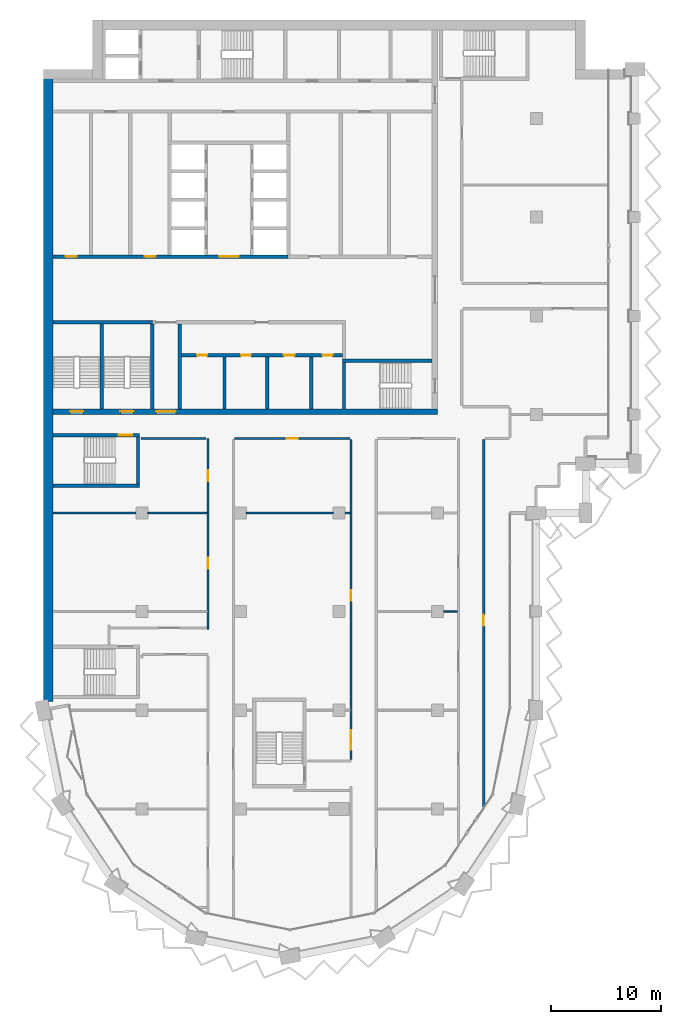
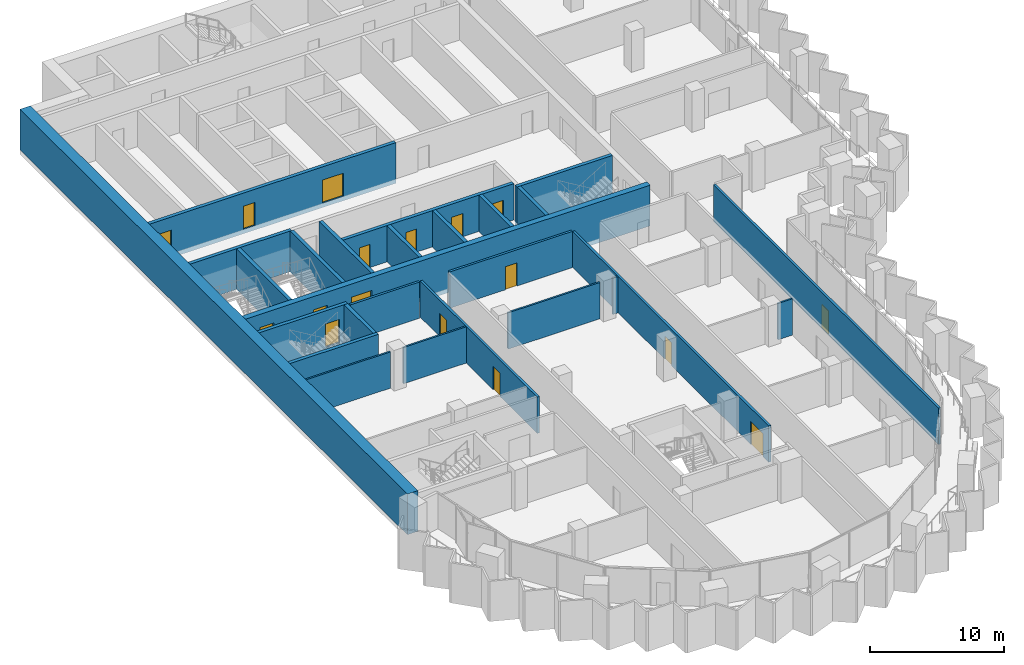
# One storey, part 10 of 19: 26 walls, 17 doors, 17 openings.
"""IFC4 building model written with IfcOpenShell, lengths in metres."""

from ifc_helpers import new_model, si_unit, direction, frame, frame_2d, origin, place, context, subcontext, project, spatial, rectangle, extrude, material, layer, layer_set, type_object, element, fill, save


model = new_model("IFC4")

# Units and contexts
model_context = context("Model", 3, precision=1e-05, world=origin(), true_north=direction((0.0, 1.0)))
body_context = subcontext(model_context, "Body", "Model", "MODEL_VIEW")
ifc_project = project(units=[si_unit("LENGTHUNIT", "METRE"), si_unit("AREAUNIT", "SQUARE_METRE"), si_unit("VOLUMEUNIT", "CUBIC_METRE"), si_unit("PLANEANGLEUNIT", "RADIAN"), si_unit("MASSUNIT", "GRAM", prefix="KILO")], contexts=[model_context])

# Site, building, storey
site_placement = place(None, origin())
site = spatial("IfcSite", under=ifc_project, at=site_placement, CompositionType="ELEMENT")
building_placement = place(site_placement, origin())
building = spatial("IfcBuilding", under=site, at=building_placement, Name="Hunhe Ridgeline Campus", CompositionType="ELEMENT")
storey_placement = place(building_placement, frame((0.0, 0.0, 216.10009765625)))
storey = spatial("IfcBuildingStorey", under=building, at=storey_placement, Name="L55", CompositionType="ELEMENT", Elevation=216.10009765625)

# Wall, openings, doors
ifc_material_1 = material(Name="Masonry concrete blockwork", Category="masonry")
ifc_layer_1 = layer(ifc_material_1, 0.300048828125)
ifc_layer_set_1 = layer_set([ifc_layer_1], Name="Core room partition 300 concrete block")
wall_type_1 = type_object("IfcWallType", Name="Core room partition 300 concrete block", PredefinedType="PARTITIONING", material=ifc_layer_set_1)
wall_1_placement = place(storey_placement, frame((12.60009765625, 68.39990234375, 0.0), z_axis=(0.0, 0.0, 1.0), x_axis=(1.0, 0.0, 0.0)))
wall_1 = element("IfcWall", 1, at=wall_1_placement, inside=storey, type_object=wall_type_1, Name="L55 core partition 9", PredefinedType="PARTITIONING", context=body_context, shape_type="SweptSolid", body=[
    extrude(rectangle(XDim=14.699951171875, YDim=0.300048828125, at=frame_2d((7.35009765625, 0.0))), origin(), (0.0, 0.0, 1.0), 3.2998046875),
])
opening_1_placement = place(wall_1_placement, frame((1.449951171875, 0.0, 0.0)))
opening_1 = element("IfcOpeningElement", 2, at=opening_1_placement, cuts=wall_1, Name="Opening CD8", PredefinedType="OPENING", context=body_context, shape_type="SweptSolid", body=[
    extrude(rectangle(XDim=0.89990234375, YDim=2.10009765625, at=frame_2d((0.449951171875, 1.050048828125))), frame((0.0, 0.14990234375, 0.0), z_axis=(0.0, -1.0, 0.0), x_axis=(1.0, 0.0, 0.0)), (0.0, 0.0, 1.0), 0.300048828125),
])
opening_2_placement = place(wall_1_placement, frame((5.449951171875, 0.0, 0.0)))
opening_2 = element("IfcOpeningElement", 3, at=opening_2_placement, cuts=wall_1, Name="Opening CD9", PredefinedType="OPENING", context=body_context, shape_type="SweptSolid", body=[
    extrude(rectangle(XDim=0.89990234375, YDim=2.10009765625, at=frame_2d((0.449951171875, 1.050048828125))), frame((0.0, 0.14990234375, 0.0), z_axis=(0.0, -1.0, 0.0), x_axis=(1.0, 0.0, 0.0)), (0.0, 0.0, 1.0), 0.300048828125),
])
opening_3_placement = place(wall_1_placement, frame((9.35009765625, 0.0, 0.0)))
opening_3 = element("IfcOpeningElement", 4, at=opening_3_placement, cuts=wall_1, Name="Opening CD10", PredefinedType="OPENING", context=body_context, shape_type="SweptSolid", body=[
    extrude(rectangle(XDim=1.0, YDim=2.10009765625, at=frame_2d((0.5, 1.050048828125))), frame((0.0, 0.14990234375, 0.0), z_axis=(0.0, -1.0, 0.0), x_axis=(1.0, 0.0, 0.0)), (0.0, 0.0, 1.0), 0.300048828125),
])
opening_4_placement = place(wall_1_placement, frame((12.89990234375, 0.0, 0.0)))
opening_4 = element("IfcOpeningElement", 5, at=opening_4_placement, cuts=wall_1, Name="Opening CD11", PredefinedType="OPENING", context=body_context, shape_type="SweptSolid", body=[
    extrude(rectangle(XDim=0.89990234375, YDim=2.10009765625, at=frame_2d((0.449951171875, 1.050048828125))), frame((0.0, 0.14990234375, 0.0), z_axis=(0.0, -1.0, 0.0), x_axis=(1.0, 0.0, 0.0)), (0.0, 0.0, 1.0), 0.300048828125),
])
ifc_material_2 = material(Name="Solid core timber door leaf", Category="wood")
door_type_1 = type_object("IfcDoorType", Name="Timber door 1000x2100", OperationType="SINGLE_SWING_LEFT", PredefinedType="DOOR", material=ifc_material_2)
door_1_placement = place(opening_3_placement, frame((1.0, 0.0, 0.0), z_axis=(0.0, 0.0, 1.0), x_axis=(-1.0, 0.0, 0.0)))
door_1 = element("IfcDoor", 6, at=door_1_placement, inside=storey, type_object=door_type_1, Name="L55 door WC3", OperationType="SINGLE_SWING_LEFT", OverallHeight=2.10009765625, OverallWidth=1.0, PredefinedType="DOOR", context=body_context, shape_type="SweptSolid", body=[
    extrude(rectangle(XDim=1.0, YDim=2.10009765625, at=frame_2d((0.5, 1.050048828125))), frame((0.0, 0.02490234375, 0.0), z_axis=(0.0, -1.0, 0.0), x_axis=(1.0, 0.0, 0.0)), (0.0, 0.0, 1.0), 0.050048828125),
])
fill(opening_3, door_1)
door_type_2 = type_object("IfcDoorType", Name="Timber door 900x2100", OperationType="SINGLE_SWING_LEFT", PredefinedType="DOOR", material=ifc_material_2)
door_2_placement = place(opening_1_placement, frame((0.89990234375, 0.0, 0.0), z_axis=(0.0, 0.0, 1.0), x_axis=(-1.0, 0.0, 0.0)))
door_2 = element("IfcDoor", 7, at=door_2_placement, inside=storey, type_object=door_type_2, Name="L55 door WC1", OperationType="SINGLE_SWING_LEFT", OverallHeight=2.10009765625, OverallWidth=0.89990234375, PredefinedType="DOOR", context=body_context, shape_type="SweptSolid", body=[
    extrude(rectangle(XDim=0.89990234375, YDim=2.10009765625, at=frame_2d((0.449951171875, 1.050048828125))), frame((0.0, 0.02490234375, 0.0), z_axis=(0.0, -1.0, 0.0), x_axis=(1.0, 0.0, 0.0)), (0.0, 0.0, 1.0), 0.050048828125),
])
fill(opening_1, door_2)
door_3_placement = place(opening_2_placement, frame((0.89990234375, 0.0, 0.0), z_axis=(0.0, 0.0, 1.0), x_axis=(-1.0, 0.0, 0.0)))
door_3 = element("IfcDoor", 8, at=door_3_placement, inside=storey, type_object=door_type_2, Name="L55 door WC2", OperationType="SINGLE_SWING_RIGHT", OverallHeight=2.10009765625, OverallWidth=0.89990234375, PredefinedType="DOOR", context=body_context, shape_type="SweptSolid", body=[
    extrude(rectangle(XDim=0.89990234375, YDim=2.10009765625, at=frame_2d((0.449951171875, 1.050048828125))), frame((0.0, 0.02490234375, 0.0), z_axis=(0.0, -1.0, 0.0), x_axis=(1.0, 0.0, 0.0)), (0.0, 0.0, 1.0), 0.050048828125),
])
fill(opening_2, door_3)
door_4_placement = place(opening_4_placement, frame((0.89990234375, 0.0, 0.0), z_axis=(0.0, 0.0, 1.0), x_axis=(-1.0, 0.0, 0.0)))
door_4 = element("IfcDoor", 9, at=door_4_placement, inside=storey, type_object=door_type_2, Name="L55 door WC4", OperationType="SINGLE_SWING_RIGHT", OverallHeight=2.10009765625, OverallWidth=0.89990234375, PredefinedType="DOOR", context=body_context, shape_type="SweptSolid", body=[
    extrude(rectangle(XDim=0.89990234375, YDim=2.10009765625, at=frame_2d((0.449951171875, 1.050048828125))), frame((0.0, 0.02490234375, 0.0), z_axis=(0.0, -1.0, 0.0), x_axis=(1.0, 0.0, 0.0)), (0.0, 0.0, 1.0), 0.050048828125),
])
fill(opening_4, door_4)

# Walls
wall_2_placement = place(storey_placement, frame((12.449951171875, 63.5, 0.0), z_axis=(0.0, 0.0, 1.0), x_axis=(0.0, 1.0, 0.0)))
element("IfcWall", 10, at=wall_2_placement, inside=storey, type_object=wall_type_1, Name="L55 core partition 35", PredefinedType="PARTITIONING", context=body_context, shape_type="SweptSolid", body=[
    extrude(rectangle(XDim=7.75, YDim=0.300048828125, at=frame_2d((3.875, 0.0))), origin(), (0.0, 0.0, 1.0), 3.2998046875),
])
for number, where, z_axis, x_axis, name in (
    (11, (16.550048828125, 63.5, 0.0), (0.0, 0.0, 1.0), (0.0, 1.0, 0.0), "L55 core partition 38"),
    (12, (20.449951171875, 63.5, 0.0), (0.0, 0.0, 1.0), (0.0, 1.0, 0.0), "L55 core partition 41"),
    (13, (24.449951171875, 63.5, 0.0), (0.0, 0.0, 1.0), (0.0, 1.0, 0.0), "L55 core partition 46"),
):
    element("IfcWall", number, at=place(storey_placement, frame(where, z_axis=z_axis, x_axis=x_axis)), inside=storey, type_object=wall_type_1, Name=name, PredefinedType="PARTITIONING", context=body_context, shape_type="SweptSolid", body=[
        extrude(rectangle(XDim=4.75, YDim=0.300048828125, at=frame_2d((2.375, 0.0))), origin(), (0.0, 0.0, 1.0), 3.2998046875),
    ])

# Wall, openings, doors
ifc_material_3 = material(Name="Concrete C60", Category="concrete")
ifc_layer_2 = layer(ifc_material_3, 0.5)
ifc_layer_set_2 = layer_set([ifc_layer_2], Name="Core wall 500 reinforced concrete C60")
wall_type_2 = type_object("IfcWallType", Name="Core wall 500 reinforced concrete C60", PredefinedType="SOLIDWALL", material=ifc_layer_set_2)
wall_3_placement = place(storey_placement, frame((0.89990234375, 63.25, -0.400146484375), z_axis=(0.0, 0.0, 1.0), x_axis=(1.0, 0.0, 0.0)))
wall_3 = element("IfcWall", 14, at=wall_3_placement, inside=storey, type_object=wall_type_2, Name="L55 core wall 7", PredefinedType="SOLIDWALL", context=body_context, shape_type="SweptSolid", body=[
    extrude(rectangle(XDim=35.10009765625, YDim=0.5, at=frame_2d((17.550048828125, 0.0))), origin(), (0.0, 0.0, 1.0), 3.699951171875),
])
opening_5_placement = place(wall_3_placement, frame((9.39990234375, 0.0, 0.39990234375)))
opening_5 = element("IfcOpeningElement", 15, at=opening_5_placement, cuts=wall_3, Name="Opening CD6", PredefinedType="OPENING", context=body_context, shape_type="SweptSolid", body=[
    extrude(rectangle(XDim=1.800048828125, YDim=2.10009765625, at=frame_2d((0.89990234375, 1.050048828125))), frame((0.0, 0.25, 0.0), z_axis=(0.0, -1.0, 0.0), x_axis=(1.0, 0.0, 0.0)), (0.0, 0.0, 1.0), 0.5),
])
opening_6_placement = place(wall_3_placement, frame((1.550048828125, 0.0, 0.39990234375)))
opening_6 = element("IfcOpeningElement", 16, at=opening_6_placement, cuts=wall_3, Name="Opening CD13", PredefinedType="OPENING", context=body_context, shape_type="SweptSolid", body=[
    extrude(rectangle(XDim=1.199951171875, YDim=2.10009765625, at=frame_2d((0.60009765625, 1.050048828125))), frame((0.0, 0.25, 0.0), z_axis=(0.0, -1.0, 0.0), x_axis=(1.0, 0.0, 0.0)), (0.0, 0.0, 1.0), 0.5),
])
opening_7_placement = place(wall_3_placement, frame((6.14990234375, 0.0, 0.39990234375)))
opening_7 = element("IfcOpeningElement", 17, at=opening_7_placement, cuts=wall_3, Name="Opening CD14", PredefinedType="OPENING", context=body_context, shape_type="SweptSolid", body=[
    extrude(rectangle(XDim=1.199951171875, YDim=2.10009765625, at=frame_2d((0.60009765625, 1.050048828125))), frame((0.0, 0.25, 0.0), z_axis=(0.0, -1.0, 0.0), x_axis=(1.0, 0.0, 0.0)), (0.0, 0.0, 1.0), 0.5),
])
ifc_material_4 = material(Name="Anodised aluminium and glass", Category="aluminium")
door_type_3 = type_object("IfcDoorType", Name="Glazed double door 1800x2100", OperationType="DOUBLE_DOOR_SINGLE_SWING", PredefinedType="DOOR", material=ifc_material_4)
door_5_placement = place(opening_5_placement, frame((1.800048828125, 0.0, 0.0), z_axis=(0.0, 0.0, 1.0), x_axis=(-1.0, 0.0, 0.0)))
door_5 = element("IfcDoor", 18, at=door_5_placement, inside=storey, type_object=door_type_3, Name="L55 door VEST-FLOOR", OperationType="DOUBLE_DOOR_SINGLE_SWING", OverallHeight=2.10009765625, OverallWidth=1.800048828125, PredefinedType="DOOR", context=body_context, shape_type="SweptSolid", body=[
    extrude(rectangle(XDim=1.800048828125, YDim=2.10009765625, at=frame_2d((0.89990234375, 1.050048828125))), frame((0.0, 0.02490234375, 0.0), z_axis=(0.0, -1.0, 0.0), x_axis=(1.0, 0.0, 0.0)), (0.0, 0.0, 1.0), 0.050048828125),
])
fill(opening_5, door_5)
ifc_material_5 = material(Name="Hollow metal fire door leaf")
door_type_4 = type_object("IfcDoorType", Name="Stair door 1200x2100 FD60", OperationType="SINGLE_SWING_LEFT", PredefinedType="DOOR", material=ifc_material_5)
door_6_placement = place(opening_6_placement, frame((1.199951171875, 0.0, 0.0), z_axis=(0.0, 0.0, 1.0), x_axis=(-1.0, 0.0, 0.0)))
door_6 = element("IfcDoor", 19, at=door_6_placement, inside=storey, type_object=door_type_4, Name="L55 door S3", OperationType="SINGLE_SWING_LEFT", OverallHeight=2.10009765625, OverallWidth=1.199951171875, PredefinedType="DOOR", context=body_context, shape_type="SweptSolid", body=[
    extrude(rectangle(XDim=1.199951171875, YDim=2.10009765625, at=frame_2d((0.60009765625, 1.050048828125))), frame((0.0, 0.02490234375, 0.0), z_axis=(0.0, -1.0, 0.0), x_axis=(1.0, 0.0, 0.0)), (0.0, 0.0, 1.0), 0.050048828125),
])
fill(opening_6, door_6)
door_7_placement = place(opening_7_placement, frame((1.199951171875, 0.0, 0.0), z_axis=(0.0, 0.0, 1.0), x_axis=(-1.0, 0.0, 0.0)))
door_7 = element("IfcDoor", 20, at=door_7_placement, inside=storey, type_object=door_type_4, Name="L55 door S4", OperationType="SINGLE_SWING_RIGHT", OverallHeight=2.10009765625, OverallWidth=1.199951171875, PredefinedType="DOOR", context=body_context, shape_type="SweptSolid", body=[
    extrude(rectangle(XDim=1.199951171875, YDim=2.10009765625, at=frame_2d((0.60009765625, 1.050048828125))), frame((0.0, 0.02490234375, 0.0), z_axis=(0.0, -1.0, 0.0), x_axis=(1.0, 0.0, 0.0)), (0.0, 0.0, 1.0), 0.050048828125),
])
fill(opening_7, door_7)

# Wall
ifc_material_6 = material(Name="Gypsum board partition")
ifc_layer_3 = layer(ifc_material_6, 0.199951171875)
ifc_layer_set_3 = layer_set([ifc_layer_3], Name="Corridor partition 200 gypsum board on steel studs")
wall_type_3 = type_object("IfcWallType", Name="Corridor partition 200 gypsum board on steel studs", PredefinedType="PARTITIONING", material=ifc_layer_set_3)
wall_4_placement = place(storey_placement, frame((14.850341796875, 60.800048828125, 0.0), z_axis=(0.0, 0.0, 1.0), x_axis=(-1.0, 0.0, 0.0)))
element("IfcWall", 21, at=wall_4_placement, inside=storey, type_object=wall_type_3, Name="F-L55-wall-028", PredefinedType="PARTITIONING", context=body_context, shape_type="SweptSolid", body=[
    extrude(rectangle(XDim=5.9462890625, YDim=0.199951171875, at=frame_2d((2.97314453125, 0.0))), origin(), (0.0, 0.0, 1.0), 3.2998046875),
])

# Wall, opening, door
wall_5_placement = place(storey_placement, frame((28.0, 60.800048828125, 0.0), z_axis=(0.0, 0.0, 1.0), x_axis=(-1.0, 0.0, 0.0)))
wall_5 = element("IfcWall", 22, at=wall_5_placement, inside=storey, type_object=wall_type_3, Name="F-L55-wall-029", PredefinedType="PARTITIONING", context=body_context, shape_type="SweptSolid", body=[
    extrude(rectangle(XDim=10.550048828125, YDim=0.199951171875, at=frame_2d((5.27490234375, 0.0))), origin(), (0.0, 0.0, 1.0), 3.2998046875),
])
opening_8_placement = place(wall_5_placement, frame((4.77490234375, 0.0, 0.0)))
opening_8 = element("IfcOpeningElement", 23, at=opening_8_placement, cuts=wall_5, Name="Opening RD1-016", PredefinedType="OPENING", context=body_context, shape_type="SweptSolid", body=[
    extrude(rectangle(XDim=1.0, YDim=2.10009765625, at=frame_2d((0.5, 1.050048828125))), frame((0.0, 0.10009765625, 0.0), z_axis=(0.0, -1.0, 0.0), x_axis=(1.0, 0.0, 0.0)), (0.0, 0.0, 1.0), 0.199951171875),
])
ifc_material_7 = material(Name="Timber door leaf", Category="wood")
door_type_5 = type_object("IfcDoorType", Name="Single fire door 1000x2100 timber FD60", OperationType="NOTDEFINED", PredefinedType="DOOR", material=ifc_material_7)
door_8_placement = place(opening_8_placement, origin())
door_8 = element("IfcDoor", 24, at=door_8_placement, inside=storey, type_object=door_type_5, Name="F-L55-door-016", OperationType="SINGLE_SWING_LEFT", OverallHeight=2.10009765625, OverallWidth=1.0, PredefinedType="DOOR", context=body_context, shape_type="SweptSolid", body=[
    extrude(rectangle(XDim=1.0, YDim=2.10009765625, at=frame_2d((0.5, 1.050048828125))), frame((0.0, 0.02490234375, 0.0), z_axis=(0.0, -1.0, 0.0), x_axis=(1.0, 0.0, 0.0)), (0.0, 0.0, 1.0), 0.050048828125),
])
fill(opening_8, door_8)

# Wall, openings, doors
wall_6_placement = place(storey_placement, frame((15.050048828125, 43.37451171875, 0.0), z_axis=(0.0, 0.0, 1.0), x_axis=(0.0, 1.0, 0.0)))
wall_6 = element("IfcWall", 25, at=wall_6_placement, inside=storey, type_object=wall_type_3, Name="F-L55-wall-041", PredefinedType="PARTITIONING", context=body_context, shape_type="SweptSolid", body=[
    extrude(rectangle(XDim=17.425537109375, YDim=0.199951171875, at=frame_2d((8.712890625, 0.0))), origin(), (0.0, 0.0, 1.0), 3.2998046875),
])
opening_9_placement = place(wall_6_placement, frame((5.56103515625, 0.0, 0.0)))
opening_9 = element("IfcOpeningElement", 26, at=opening_9_placement, cuts=wall_6, Name="Opening RD1-013", PredefinedType="OPENING", context=body_context, shape_type="SweptSolid", body=[
    extrude(rectangle(XDim=1.0, YDim=2.10009765625, at=frame_2d((0.5, 1.050048828125))), frame((0.0, 0.10009765625, 0.0), z_axis=(0.0, -1.0, 0.0), x_axis=(1.0, 0.0, 0.0)), (0.0, 0.0, 1.0), 0.199951171875),
])
opening_10_placement = place(wall_6_placement, frame((13.51611328125, 0.0, 0.0)))
opening_10 = element("IfcOpeningElement", 27, at=opening_10_placement, cuts=wall_6, Name="Opening RD1-015", PredefinedType="OPENING", context=body_context, shape_type="SweptSolid", body=[
    extrude(rectangle(XDim=1.0, YDim=2.10009765625, at=frame_2d((0.5, 1.050048828125))), frame((0.0, 0.10009765625, 0.0), z_axis=(0.0, -1.0, 0.0), x_axis=(1.0, 0.0, 0.0)), (0.0, 0.0, 1.0), 0.199951171875),
])
door_9_placement = place(opening_9_placement, origin())
door_9 = element("IfcDoor", 28, at=door_9_placement, inside=storey, type_object=door_type_5, Name="F-L55-door-013", OperationType="SINGLE_SWING_RIGHT", OverallHeight=2.10009765625, OverallWidth=1.0, PredefinedType="DOOR", context=body_context, shape_type="SweptSolid", body=[
    extrude(rectangle(XDim=1.0, YDim=2.10009765625, at=frame_2d((0.5, 1.050048828125))), frame((0.0, 0.02490234375, 0.0), z_axis=(0.0, -1.0, 0.0), x_axis=(1.0, 0.0, 0.0)), (0.0, 0.0, 1.0), 0.050048828125),
])
fill(opening_9, door_9)
door_10_placement = place(opening_10_placement, origin())
door_10 = element("IfcDoor", 29, at=door_10_placement, inside=storey, type_object=door_type_5, Name="F-L55-door-015", OperationType="SINGLE_SWING_LEFT", OverallHeight=2.10009765625, OverallWidth=1.0, PredefinedType="DOOR", context=body_context, shape_type="SweptSolid", body=[
    extrude(rectangle(XDim=1.0, YDim=2.10009765625, at=frame_2d((0.5, 1.050048828125))), frame((0.0, 0.02490234375, 0.0), z_axis=(0.0, -1.0, 0.0), x_axis=(1.0, 0.0, 0.0)), (0.0, 0.0, 1.0), 0.050048828125),
])
fill(opening_10, door_10)

wall_7_placement = place(storey_placement, frame((28.10009765625, 31.512451171875, 0.0), z_axis=(0.0, 0.0, 1.0), x_axis=(0.0, 1.0, 0.0)))
wall_7 = element("IfcWall", 30, at=wall_7_placement, inside=storey, type_object=wall_type_3, Name="F-L55-wall-044", PredefinedType="PARTITIONING", context=body_context, shape_type="SweptSolid", body=[
    extrude(rectangle(XDim=29.1875, YDim=0.199951171875, at=frame_2d((14.59375, 0.0))), origin(), (0.0, 0.0, 1.0), 3.2998046875),
])
opening_11_placement = place(wall_7_placement, frame((0.864501953125, 0.0, 0.0)))
opening_11 = element("IfcOpeningElement", 31, at=opening_11_placement, cuts=wall_7, Name="Opening RD2-007", PredefinedType="OPENING", context=body_context, shape_type="SweptSolid", body=[
    extrude(rectangle(XDim=1.800048828125, YDim=2.10009765625, at=frame_2d((0.89990234375, 1.050048828125))), frame((0.0, 0.10009765625, 0.0), z_axis=(0.0, -1.0, 0.0), x_axis=(1.0, 0.0, 0.0)), (0.0, 0.0, 1.0), 0.199951171875),
])
opening_12_placement = place(wall_7_placement, frame((14.46142578125, 0.0, 0.0)))
opening_12 = element("IfcOpeningElement", 32, at=opening_12_placement, cuts=wall_7, Name="Opening RD1-012", PredefinedType="OPENING", context=body_context, shape_type="SweptSolid", body=[
    extrude(rectangle(XDim=1.0, YDim=2.10009765625, at=frame_2d((0.5, 1.050048828125))), frame((0.0, 0.10009765625, 0.0), z_axis=(0.0, -1.0, 0.0), x_axis=(1.0, 0.0, 0.0)), (0.0, 0.0, 1.0), 0.199951171875),
])
door_type_6 = type_object("IfcDoorType", Name="Double fire door 1800x2100 timber FD60", OperationType="DOUBLE_DOOR_SINGLE_SWING", PredefinedType="DOOR", material=ifc_material_7)
door_11_placement = place(opening_11_placement, origin())
door_11 = element("IfcDoor", 33, at=door_11_placement, inside=storey, type_object=door_type_6, Name="F-L55-door-007", OperationType="DOUBLE_DOOR_SINGLE_SWING", OverallHeight=2.10009765625, OverallWidth=1.800048828125, PredefinedType="DOOR", context=body_context, shape_type="SweptSolid", body=[
    extrude(rectangle(XDim=1.800048828125, YDim=2.10009765625, at=frame_2d((0.89990234375, 1.050048828125))), frame((0.0, 0.02490234375, 0.0), z_axis=(0.0, -1.0, 0.0), x_axis=(1.0, 0.0, 0.0)), (0.0, 0.0, 1.0), 0.050048828125),
])
fill(opening_11, door_11)
door_12_placement = place(opening_12_placement, origin())
door_12 = element("IfcDoor", 34, at=door_12_placement, inside=storey, type_object=door_type_5, Name="F-L55-door-012", OperationType="SINGLE_SWING_RIGHT", OverallHeight=2.10009765625, OverallWidth=1.0, PredefinedType="DOOR", context=body_context, shape_type="SweptSolid", body=[
    extrude(rectangle(XDim=1.0, YDim=2.10009765625, at=frame_2d((0.5, 1.050048828125))), frame((0.0, 0.02490234375, 0.0), z_axis=(0.0, -1.0, 0.0), x_axis=(1.0, 0.0, 0.0)), (0.0, 0.0, 1.0), 0.050048828125),
])
fill(opening_12, door_12)

# Wall, opening, door
wall_8_placement = place(storey_placement, frame((40.199951171875, 60.699951171875, 0.0), z_axis=(0.0, 0.0, 1.0), x_axis=(0.0, -1.0, 0.0)))
wall_8 = element("IfcWall", 35, at=wall_8_placement, inside=storey, type_object=wall_type_3, Name="F-L55-wall-049", PredefinedType="PARTITIONING", context=body_context, shape_type="SweptSolid", body=[
    extrude(rectangle(XDim=33.511962890625, YDim=0.199951171875, at=frame_2d((16.755859375, 0.0))), origin(), (0.0, 0.0, 1.0), 3.2998046875),
])
opening_13_placement = place(wall_8_placement, frame((16.005859375, 0.0, 0.0)))
opening_13 = element("IfcOpeningElement", 36, at=opening_13_placement, cuts=wall_8, Name="Opening RD1-011", PredefinedType="OPENING", context=body_context, shape_type="SweptSolid", body=[
    extrude(rectangle(XDim=1.0, YDim=2.10009765625, at=frame_2d((0.5, 1.050048828125))), frame((0.0, 0.10009765625, 0.0), z_axis=(0.0, -1.0, 0.0), x_axis=(1.0, 0.0, 0.0)), (0.0, 0.0, 1.0), 0.199951171875),
])
door_13_placement = place(opening_13_placement, origin())
door_13 = element("IfcDoor", 37, at=door_13_placement, inside=storey, type_object=door_type_5, Name="F-L55-door-011", OperationType="SINGLE_SWING_RIGHT", OverallHeight=2.10009765625, OverallWidth=1.0, PredefinedType="DOOR", context=body_context, shape_type="SweptSolid", body=[
    extrude(rectangle(XDim=1.0, YDim=2.10009765625, at=frame_2d((0.5, 1.050048828125))), frame((0.0, 0.02490234375, 0.0), z_axis=(0.0, -1.0, 0.0), x_axis=(1.0, 0.0, 0.0)), (0.0, 0.0, 1.0), 0.050048828125),
])
fill(opening_13, door_13)

# Walls
ifc_layer_4 = layer(ifc_material_6, 0.14990234375)
ifc_layer_set_4 = layer_set([ifc_layer_4], Name="Room partition 150 gypsum board on steel studs")
wall_type_4 = type_object("IfcWallType", Name="Room partition 150 gypsum board on steel studs", PredefinedType="PARTITIONING", material=ifc_layer_set_4)
wall_9_placement = place(storey_placement, frame((36.550048828125, 45.0, 0.0), z_axis=(0.0, 0.0, 1.0), x_axis=(1.0, 0.0, 0.0)))
element("IfcWall", 38, at=wall_9_placement, inside=storey, type_object=wall_type_4, Name="F-L55-wall-021", PredefinedType="PARTITIONING", context=body_context, shape_type="SweptSolid", body=[
    extrude(rectangle(XDim=1.25, YDim=0.14990234375, at=frame_2d((0.625, 0.0))), origin(), (0.0, 0.0, 1.0), 3.2998046875),
])
wall_10_placement = place(storey_placement, frame((0.919921875, 54.0, 0.0), z_axis=(0.0, 0.0, 1.0), x_axis=(1.0, 0.0, 0.0)))
element("IfcWall", 39, at=wall_10_placement, inside=storey, type_object=wall_type_4, Name="F-L55-wall-022", PredefinedType="PARTITIONING", context=body_context, shape_type="SweptSolid", body=[
    extrude(rectangle(XDim=7.530029296875, YDim=0.14990234375, at=frame_2d((3.76513671875, 0.0))), origin(), (0.0, 0.0, 1.0), 3.2998046875),
])
wall_11_placement = place(storey_placement, frame((9.550048828125, 54.0, 0.0), z_axis=(0.0, 0.0, 1.0), x_axis=(1.0, 0.0, 0.0)))
element("IfcWall", 40, at=wall_11_placement, inside=storey, type_object=wall_type_4, Name="F-L55-wall-023", PredefinedType="PARTITIONING", context=body_context, shape_type="SweptSolid", body=[
    extrude(rectangle(XDim=5.39990234375, YDim=0.14990234375, at=frame_2d((2.699951171875, 0.0))), origin(), (0.0, 0.0, 1.0), 3.2998046875),
])
wall_12_placement = place(storey_placement, frame((18.550048828125, 54.0, 0.0), z_axis=(0.0, 0.0, 1.0), x_axis=(1.0, 0.0, 0.0)))
element("IfcWall", 41, at=wall_12_placement, inside=storey, type_object=wall_type_4, Name="F-L55-wall-024", PredefinedType="PARTITIONING", context=body_context, shape_type="SweptSolid", body=[
    extrude(rectangle(XDim=7.89990234375, YDim=0.14990234375, at=frame_2d((3.949951171875, 0.0))), origin(), (0.0, 0.0, 1.0), 3.2998046875),
])
wall_13_placement = place(storey_placement, frame((27.550048828125, 54.0, 0.0), z_axis=(0.0, 0.0, 1.0), x_axis=(1.0, 0.0, 0.0)))
element("IfcWall", 42, at=wall_13_placement, inside=storey, type_object=wall_type_4, Name="F-L55-wall-025", PredefinedType="PARTITIONING", context=body_context, shape_type="SweptSolid", body=[
    extrude(rectangle(XDim=0.449951171875, YDim=0.14990234375, at=frame_2d((0.22509765625, 0.0))), origin(), (0.0, 0.0, 1.0), 3.2998046875),
])

# Wall, openings, doors
ifc_layer_5 = layer(ifc_material_3, 0.300048828125)
ifc_layer_set_5 = layer_set([ifc_layer_5], Name="Shaft wall 300 reinforced concrete C60")
wall_type_5 = type_object("IfcWallType", Name="Shaft wall 300 reinforced concrete C60", PredefinedType="SOLIDWALL", material=ifc_layer_set_5)
wall_14_placement = place(storey_placement, frame((0.89990234375, 77.39990234375, -0.400146484375), z_axis=(0.0, 0.0, 1.0), x_axis=(1.0, 0.0, 0.0)))
wall_14 = element("IfcWall", 43, at=wall_14_placement, inside=storey, type_object=wall_type_5, Name="L55 core wall 12", PredefinedType="SOLIDWALL", context=body_context, shape_type="SweptSolid", body=[
    extrude(rectangle(XDim=21.4501953125, YDim=0.300048828125, at=frame_2d((10.72509765625, 0.0))), origin(), (0.0, 0.0, 1.0), 3.699951171875),
])
opening_14_placement = place(wall_14_placement, frame((15.14990234375, 0.0, 0.39990234375)))
opening_14 = element("IfcOpeningElement", 44, at=opening_14_placement, cuts=wall_14, Name="Opening CD38", PredefinedType="OPENING", context=body_context, shape_type="SweptSolid", body=[
    extrude(rectangle(XDim=1.800048828125, YDim=2.10009765625, at=frame_2d((0.89990234375, 1.050048828125))), frame((0.0, 0.14990234375, 0.0), z_axis=(0.0, -1.0, 0.0), x_axis=(1.0, 0.0, 0.0)), (0.0, 0.0, 1.0), 0.300048828125),
])
opening_15_placement = place(wall_14_placement, frame((1.14990234375, 0.0, 0.39990234375)))
opening_15 = element("IfcOpeningElement", 45, at=opening_15_placement, cuts=wall_14, Name="Opening CD39", PredefinedType="OPENING", context=body_context, shape_type="SweptSolid", body=[
    extrude(rectangle(XDim=1.0, YDim=2.10009765625, at=frame_2d((0.5, 1.050048828125))), frame((0.0, 0.14990234375, 0.0), z_axis=(0.0, -1.0, 0.0), x_axis=(1.0, 0.0, 0.0)), (0.0, 0.0, 1.0), 0.300048828125),
])
opening_16_placement = place(wall_14_placement, frame((8.35009765625, 0.0, 0.39990234375)))
opening_16 = element("IfcOpeningElement", 46, at=opening_16_placement, cuts=wall_14, Name="Opening CD41", PredefinedType="OPENING", context=body_context, shape_type="SweptSolid", body=[
    extrude(rectangle(XDim=1.0, YDim=2.10009765625, at=frame_2d((0.5, 1.050048828125))), frame((0.0, 0.14990234375, 0.0), z_axis=(0.0, -1.0, 0.0), x_axis=(1.0, 0.0, 0.0)), (0.0, 0.0, 1.0), 0.300048828125),
])
door_type_7 = type_object("IfcDoorType", Name="Lobby door 1800x2100 FD60", OperationType="SINGLE_SWING_LEFT", PredefinedType="DOOR", material=ifc_material_5)
door_14_placement = place(opening_14_placement, frame((1.800048828125, 0.0, 0.0), z_axis=(0.0, 0.0, 1.0), x_axis=(-1.0, 0.0, 0.0)))
door_14 = element("IfcDoor", 47, at=door_14_placement, inside=storey, type_object=door_type_7, Name="L55 door LOB-HR", OperationType="SINGLE_SWING_RIGHT", OverallHeight=2.10009765625, OverallWidth=1.800048828125, PredefinedType="DOOR", context=body_context, shape_type="SweptSolid", body=[
    extrude(rectangle(XDim=1.800048828125, YDim=2.10009765625, at=frame_2d((0.89990234375, 1.050048828125))), frame((0.0, 0.02490234375, 0.0), z_axis=(0.0, -1.0, 0.0), x_axis=(1.0, 0.0, 0.0)), (0.0, 0.0, 1.0), 0.050048828125),
])
fill(opening_14, door_14)
door_15_placement = place(opening_15_placement, origin())
door_15 = element("IfcDoor", 48, at=door_15_placement, inside=storey, type_object=door_type_1, Name="L55 door VD-LR0", OperationType="SINGLE_SWING_LEFT", OverallHeight=2.10009765625, OverallWidth=1.0, PredefinedType="DOOR", context=body_context, shape_type="SweptSolid", body=[
    extrude(rectangle(XDim=1.0, YDim=2.10009765625, at=frame_2d((0.5, 1.050048828125))), frame((0.0, 0.02490234375, 0.0), z_axis=(0.0, -1.0, 0.0), x_axis=(1.0, 0.0, 0.0)), (0.0, 0.0, 1.0), 0.050048828125),
])
fill(opening_15, door_15)
door_16_placement = place(opening_16_placement, origin())
door_16 = element("IfcDoor", 49, at=door_16_placement, inside=storey, type_object=door_type_1, Name="L55 door VD-LR2", OperationType="SINGLE_SWING_LEFT", OverallHeight=2.10009765625, OverallWidth=1.0, PredefinedType="DOOR", context=body_context, shape_type="SweptSolid", body=[
    extrude(rectangle(XDim=1.0, YDim=2.10009765625, at=frame_2d((0.5, 1.050048828125))), frame((0.0, 0.02490234375, 0.0), z_axis=(0.0, -1.0, 0.0), x_axis=(1.0, 0.0, 0.0)), (0.0, 0.0, 1.0), 0.050048828125),
])
fill(opening_16, door_16)

# Walls
ifc_layer_6 = layer(ifc_material_3, 0.89990234375)
ifc_layer_set_6 = layer_set([ifc_layer_6], Name="Spine wall 900 Concrete C60")
wall_type_6 = type_object("IfcWallType", Name="Spine wall 900 Concrete C60", PredefinedType="SHEAR", material=ifc_layer_set_6)
wall_15_placement = place(storey_placement, frame((0.449951171875, 94.5, 0.0), z_axis=(0.0, 0.0, 1.0), x_axis=(0.0, -1.0, 0.0)))
element("IfcWall", 50, at=wall_15_placement, inside=storey, type_object=wall_type_6, Name="Spine wall SW3-1 L55", PredefinedType="SHEAR", context=body_context, shape_type="SweptSolid", body=[
    extrude(rectangle(XDim=57.686767578125, YDim=0.89990234375, at=frame_2d((28.84326171875, 0.0))), origin(), (0.0, 0.0, 1.0), 3.699951171875),
])
ifc_layer_7 = layer(ifc_material_3, 0.300048828125)
ifc_layer_set_7 = layer_set([ifc_layer_7], Name="Stair wall 300 reinforced concrete C60")
wall_type_7 = type_object("IfcWallType", Name="Stair wall 300 reinforced concrete C60", PredefinedType="SOLIDWALL", material=ifc_layer_set_7)
wall_16_placement = place(storey_placement, frame((0.89990234375, 56.5, -0.400146484375), z_axis=(0.0, 0.0, 1.0), x_axis=(1.0, 0.0, 0.0)))
element("IfcWall", 51, at=wall_16_placement, inside=storey, type_object=wall_type_7, Name="L55 core wall 5", PredefinedType="SOLIDWALL", context=body_context, shape_type="SweptSolid", body=[
    extrude(rectangle(XDim=7.900146484375, YDim=0.300048828125, at=frame_2d((3.9501953125, 0.0))), origin(), (0.0, 0.0, 1.0), 3.699951171875),
])

# Wall, opening, door
wall_17_placement = place(storey_placement, frame((0.89990234375, 61.10009765625, -0.400146484375), z_axis=(0.0, 0.0, 1.0), x_axis=(1.0, 0.0, 0.0)))
wall_17 = element("IfcWall", 52, at=wall_17_placement, inside=storey, type_object=wall_type_7, Name="L55 core wall 6", PredefinedType="SOLIDWALL", context=body_context, shape_type="SweptSolid", body=[
    extrude(rectangle(XDim=7.900146484375, YDim=0.300048828125, at=frame_2d((3.9501953125, 0.0))), origin(), (0.0, 0.0, 1.0), 3.699951171875),
])
opening_17_placement = place(wall_17_placement, frame((6.0, 0.0, 0.39990234375)))
opening_17 = element("IfcOpeningElement", 53, at=opening_17_placement, cuts=wall_17, Name="Opening CD22", PredefinedType="OPENING", context=body_context, shape_type="SweptSolid", body=[
    extrude(rectangle(XDim=1.199951171875, YDim=2.10009765625, at=frame_2d((0.60009765625, 1.050048828125))), frame((0.0, 0.14990234375, 0.0), z_axis=(0.0, -1.0, 0.0), x_axis=(1.0, 0.0, 0.0)), (0.0, 0.0, 1.0), 0.300048828125),
])
door_17_placement = place(opening_17_placement, origin())
door_17 = element("IfcDoor", 54, at=door_17_placement, inside=storey, type_object=door_type_4, Name="L55 door W2", OperationType="SINGLE_SWING_RIGHT", OverallHeight=2.10009765625, OverallWidth=1.199951171875, PredefinedType="DOOR", context=body_context, shape_type="SweptSolid", body=[
    extrude(rectangle(XDim=1.199951171875, YDim=2.10009765625, at=frame_2d((0.60009765625, 1.050048828125))), frame((0.0, 0.02490234375, 0.0), z_axis=(0.0, -1.0, 0.0), x_axis=(1.0, 0.0, 0.0)), (0.0, 0.0, 1.0), 0.050048828125),
])
fill(opening_17, door_17)

# Walls
wall_18_placement = place(storey_placement, frame((27.300048828125, 67.89990234375, -0.400146484375), z_axis=(0.0, 0.0, 1.0), x_axis=(1.0, 0.0, 0.0)))
element("IfcWall", 55, at=wall_18_placement, inside=storey, type_object=wall_type_7, Name="L55 core wall 8", PredefinedType="SOLIDWALL", context=body_context, shape_type="SweptSolid", body=[
    extrude(rectangle(XDim=8.199951171875, YDim=0.300048828125, at=frame_2d((4.10009765625, 0.0))), origin(), (0.0, 0.0, 1.0), 3.699951171875),
])
wall_19_placement = place(storey_placement, frame((0.89990234375, 71.39990234375, -0.400146484375), z_axis=(0.0, 0.0, 1.0), x_axis=(1.0, 0.0, 0.0)))
element("IfcWall", 56, at=wall_19_placement, inside=storey, type_object=wall_type_7, Name="L55 core wall 10", PredefinedType="SOLIDWALL", context=body_context, shape_type="SweptSolid", body=[
    extrude(rectangle(XDim=9.050048828125, YDim=0.300048828125, at=frame_2d((4.52490234375, 0.0))), origin(), (0.0, 0.0, 1.0), 3.699951171875),
])
wall_20_placement = place(storey_placement, frame((5.35009765625, 63.5, -0.400146484375), z_axis=(0.0, 0.0, 1.0), x_axis=(0.0, 1.0, 0.0)))
element("IfcWall", 57, at=wall_20_placement, inside=storey, type_object=wall_type_7, Name="L55 core wall 26", PredefinedType="SOLIDWALL", context=body_context, shape_type="SweptSolid", body=[
    extrude(rectangle(XDim=7.75, YDim=0.300048828125, at=frame_2d((3.875, 0.0))), origin(), (0.0, 0.0, 1.0), 3.699951171875),
])
wall_21_placement = place(storey_placement, frame((8.64990234375, 56.64990234375, -0.400146484375), z_axis=(0.0, 0.0, 1.0), x_axis=(0.0, 1.0, 0.0)))
element("IfcWall", 58, at=wall_21_placement, inside=storey, type_object=wall_type_7, Name="L55 core wall 30", PredefinedType="SOLIDWALL", context=body_context, shape_type="SweptSolid", body=[
    extrude(rectangle(XDim=4.300048828125, YDim=0.300048828125, at=frame_2d((2.14990234375, 0.0))), origin(), (0.0, 0.0, 1.0), 3.699951171875),
])
wall_22_placement = place(storey_placement, frame((9.949951171875, 63.5, -0.400146484375), z_axis=(0.0, 0.0, 1.0), x_axis=(0.0, 1.0, 0.0)))
element("IfcWall", 59, at=wall_22_placement, inside=storey, type_object=wall_type_7, Name="L55 core wall 32", PredefinedType="SOLIDWALL", context=body_context, shape_type="SweptSolid", body=[
    extrude(rectangle(XDim=7.75, YDim=0.300048828125, at=frame_2d((3.875, 0.0))), origin(), (0.0, 0.0, 1.0), 3.699951171875),
])
wall_23_placement = place(storey_placement, frame((27.449951171875, 63.5, -0.400146484375), z_axis=(0.0, 0.0, 1.0), x_axis=(0.0, 1.0, 0.0)))
element("IfcWall", 60, at=wall_23_placement, inside=storey, type_object=wall_type_7, Name="L55 core wall 49", PredefinedType="SOLIDWALL", context=body_context, shape_type="SweptSolid", body=[
    extrude(rectangle(XDim=4.25, YDim=0.300048828125, at=frame_2d((2.125, 0.0))), origin(), (0.0, 0.0, 1.0), 3.699951171875),
])

save(model, "model.ifc")
